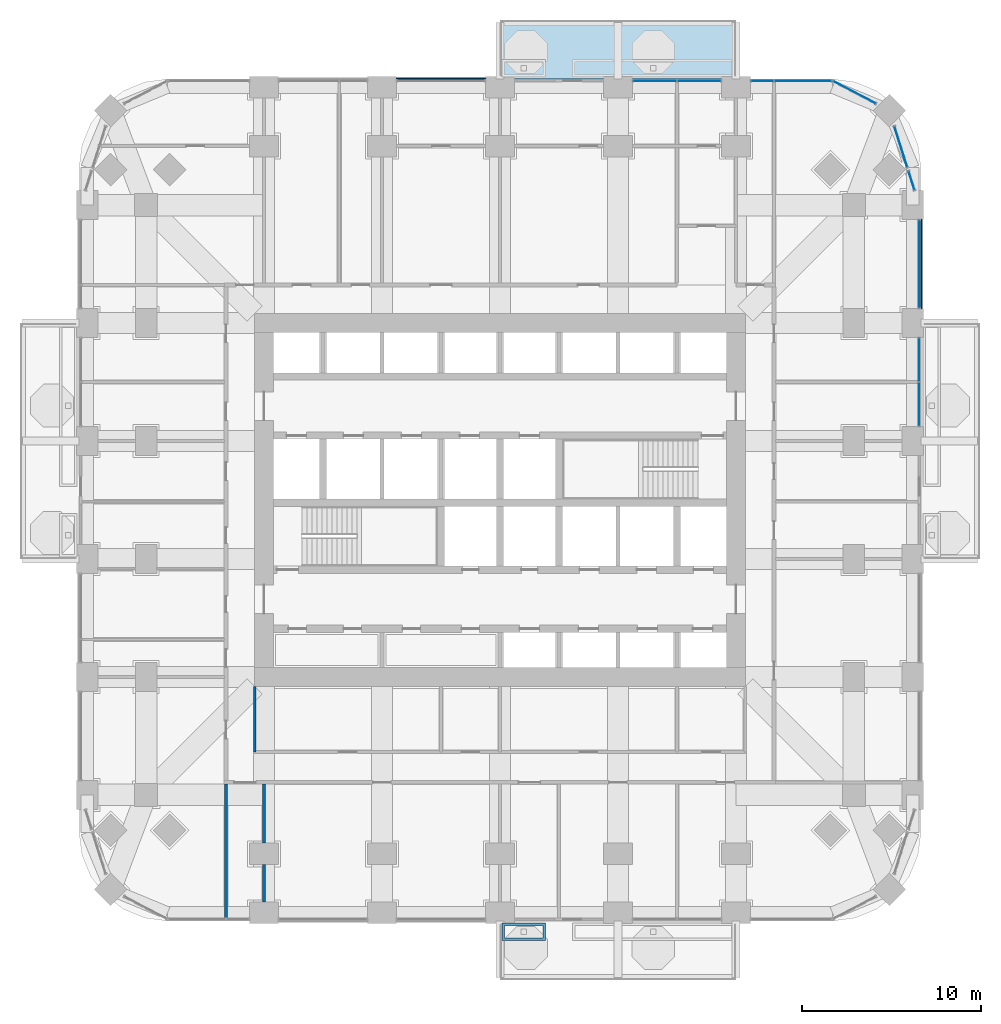
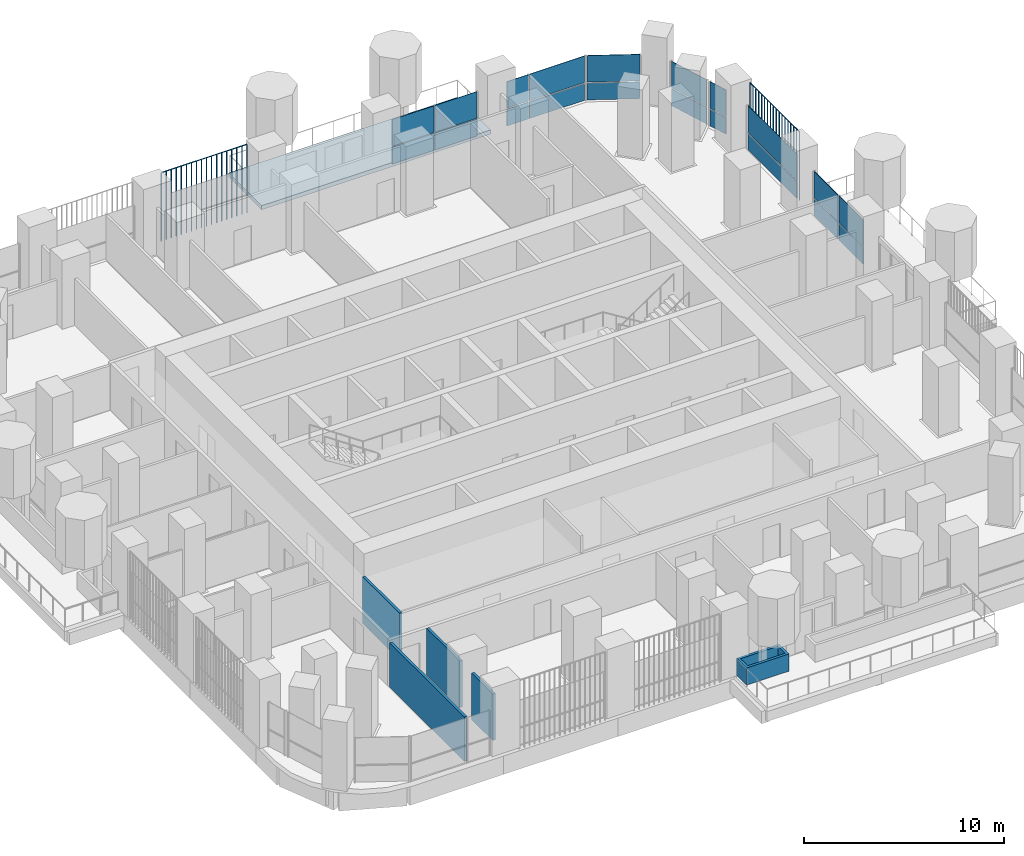
# One storey, part 13 of 23: 22 plates, 5 walls, 1 slab, 7 elements without a shape of their own.
"""IFC4 building model written with IfcOpenShell, lengths in metres."""

from ifc_helpers import new_model, si_unit, direction, frame, frame_2d, origin, origin_2d, place, context, subcontext, project, spatial, polyline, rectangle, outline, extrude, material, layer, layer_set, type_object, element, aggregate, save


model = new_model("IFC4")

# Units and contexts
model_context = context("Model", 3, precision=1e-05, world=origin(), true_north=direction((0.0, 1.0)))
body_context = subcontext(model_context, "Body", "Model", "MODEL_VIEW")
ifc_project = project(units=[si_unit("LENGTHUNIT", "METRE"), si_unit("AREAUNIT", "SQUARE_METRE"), si_unit("VOLUMEUNIT", "CUBIC_METRE"), si_unit("PLANEANGLEUNIT", "RADIAN"), si_unit("MASSUNIT", "GRAM", prefix="KILO")], contexts=[model_context])

# Site, building, storey
site_placement = place(None, origin())
site = spatial("IfcSite", under=ifc_project, at=site_placement, CompositionType="ELEMENT")
building_placement = place(site_placement, origin())
building = spatial("IfcBuilding", under=site, at=building_placement, Name="Cobogo Forest Laboratory Tower", CompositionType="ELEMENT")
storey_placement = place(building_placement, frame((0.0, 0.0, 103.199951171875)))
storey = spatial("IfcBuildingStorey", under=building, at=storey_placement, Name="L23", CompositionType="ELEMENT", Elevation=103.199951171875)

# Slab
ifc_material_1 = material(Name="Concrete HA-40 (C40/50)", Category="concrete")
ifc_layer_1 = layer(ifc_material_1, 0.25)
ifc_layer_set_1 = layer_set([ifc_layer_1], Name="Balcony slab 250")
slab_type = type_object("IfcSlabType", Name="Balcony slab 250", PredefinedType="FLOOR", material=ifc_layer_set_1)
slab_placement = place(storey_placement, frame((0.0, 0.0, -0.25)))
element("IfcSlab", 1, at=slab_placement, inside=storey, type_object=slab_type, Name="Balcony BAL-N1 L23", PredefinedType="FLOOR", context=body_context, shape_type="SweptSolid", body=[
    extrude(outline(polyline([(26.39990234375, 46.64990234375), (39.60009765625, 46.64990234375), (39.60009765625, 49.949951171875), (26.39990234375, 49.949951171875), (26.39990234375, 46.64990234375)])), origin(), (0.0, 0.0, 1.0), 0.25),
])

# Curtain wall, plates
ifc_material_2 = material(Name="Aluminium curtain wall", Category="aluminium")
curtain_wall_type = type_object("IfcCurtainWallType", Name="CW-1 unitised curtain wall, clear glazing, laboratory floors zones A and B", PredefinedType="USERDEFINED", material=ifc_material_2)
curtain_wall_1_placement = place(storey_placement, origin())
curtain_wall_1 = element("IfcCurtainWall", 2, at=curtain_wall_1_placement, inside=storey, type_object=curtain_wall_type, Name="Curtain wall 13 L23", ObjectType="UNITISED CURTAIN WALL", PredefinedType="USERDEFINED")
ifc_material_3 = material(Name="Clear insulated glass", Category="glass")
ifc_layer_2 = layer(ifc_material_3, 0.028076171875)
ifc_layer_set_2 = layer_set([ifc_layer_2], Name="GP-1 clear insulated glass unit 28")
plate_type_1 = type_object("IfcPlateType", Name="GP-1 clear insulated glass unit 28", PredefinedType="CURTAIN_PANEL", material=ifc_layer_set_2)
plate_1_placement = place(storey_placement, frame((49.85009765625, 28.465087890625, 0.0), z_axis=(0.0, 0.0, 1.0), x_axis=(0.0, 1.0, 0.0)))
plate_1 = element("IfcPlate", 3, at=plate_1_placement, type_object=plate_type_1, Name="CW-1 panel 1.1", PredefinedType="CURTAIN_PANEL", context=body_context, shape_type="SweptSolid", body=[
    extrude(rectangle(XDim=2.409912109375, YDim=0.028076171875, at=origin_2d()), origin(), (0.0, 0.0, 1.0), 1.02001953125),
])
plate_2_placement = place(storey_placement, frame((49.85009765625, 28.465087890625, 1.080078125), z_axis=(0.0, 0.0, 1.0), x_axis=(0.0, 1.0, 0.0)))
plate_2 = element("IfcPlate", 4, at=plate_2_placement, type_object=plate_type_1, Name="CW-1 panel 1.2", PredefinedType="CURTAIN_PANEL", context=body_context, shape_type="SweptSolid", body=[
    extrude(rectangle(XDim=2.409912109375, YDim=0.028076171875, at=origin_2d()), origin(), (0.0, 0.0, 1.0), 1.6201171875),
])
plate_3_placement = place(storey_placement, frame((49.85009765625, 30.93505859375, 0.0), z_axis=(0.0, 0.0, 1.0), x_axis=(0.0, 1.0, 0.0)))
plate_3 = element("IfcPlate", 5, at=plate_3_placement, type_object=plate_type_1, Name="CW-1 panel 2.1", PredefinedType="CURTAIN_PANEL", context=body_context, shape_type="SweptSolid", body=[
    extrude(rectangle(XDim=2.409912109375, YDim=0.028076171875, at=origin_2d()), origin(), (0.0, 0.0, 1.0), 1.02001953125),
])
plate_4_placement = place(storey_placement, frame((49.85009765625, 30.93505859375, 1.080078125), z_axis=(0.0, 0.0, 1.0), x_axis=(0.0, 1.0, 0.0)))
plate_4 = element("IfcPlate", 6, at=plate_4_placement, type_object=plate_type_1, Name="CW-1 panel 2.2", PredefinedType="CURTAIN_PANEL", context=body_context, shape_type="SweptSolid", body=[
    extrude(rectangle(XDim=2.409912109375, YDim=0.028076171875, at=origin_2d()), origin(), (0.0, 0.0, 1.0), 1.6201171875),
])
aggregate(curtain_wall_1, [plate_1, plate_2, plate_3, plate_4])

curtain_wall_2_placement = place(storey_placement, origin())
curtain_wall_2 = element("IfcCurtainWall", 7, at=curtain_wall_2_placement, inside=storey, type_object=curtain_wall_type, Name="Curtain wall 14 L23", ObjectType="UNITISED CURTAIN WALL", PredefinedType="USERDEFINED")
plate_5_placement = place(storey_placement, frame((49.85009765625, 36.300048828125, 0.0), z_axis=(0.0, 0.0, 1.0), x_axis=(0.0, 1.0, 0.0)))
plate_5 = element("IfcPlate", 8, at=plate_5_placement, type_object=plate_type_1, Name="CW-1 panel 1.1", PredefinedType="CURTAIN_PANEL", context=body_context, shape_type="SweptSolid", body=[
    extrude(rectangle(XDim=4.8798828125, YDim=0.028076171875, at=origin_2d()), origin(), (0.0, 0.0, 1.0), 1.02001953125),
])
plate_6_placement = place(storey_placement, frame((49.85009765625, 36.300048828125, 1.080078125), z_axis=(0.0, 0.0, 1.0), x_axis=(0.0, 1.0, 0.0)))
plate_6 = element("IfcPlate", 9, at=plate_6_placement, type_object=plate_type_1, Name="CW-1 panel 1.2", PredefinedType="CURTAIN_PANEL", context=body_context, shape_type="SweptSolid", body=[
    extrude(rectangle(XDim=4.8798828125, YDim=0.028076171875, at=origin_2d()), origin(), (0.0, 0.0, 1.0), 1.6201171875),
])
aggregate(curtain_wall_2, [plate_5, plate_6])

curtain_wall_3_placement = place(storey_placement, origin())
curtain_wall_3 = element("IfcCurtainWall", 10, at=curtain_wall_3_placement, inside=storey, type_object=curtain_wall_type, Name="Curtain wall 15 L23", ObjectType="UNITISED CURTAIN WALL", PredefinedType="USERDEFINED")
plate_7_placement = place(storey_placement, frame((49.41796875, 40.9677734375, 0.0), z_axis=(0.0, 0.0, 1.0), x_axis=(-0.301135667865, 0.953581307252, 0.0)))
plate_7 = element("IfcPlate", 11, at=plate_7_placement, type_object=plate_type_1, Name="CW-1 panel 1.1", PredefinedType="CURTAIN_PANEL", context=body_context, shape_type="SweptSolid", body=[
    extrude(rectangle(XDim=1.071044921875, YDim=0.028076171875, at=origin_2d()), origin(), (0.0, 0.0, 1.0), 1.02001953125),
])
plate_8_placement = place(storey_placement, frame((49.41796875, 40.9677734375, 1.080078125), z_axis=(0.0, 0.0, 1.0), x_axis=(-0.301135667865, 0.953581307252, 0.0)))
plate_8 = element("IfcPlate", 12, at=plate_8_placement, type_object=plate_type_1, Name="CW-1 panel 1.2", PredefinedType="CURTAIN_PANEL", context=body_context, shape_type="SweptSolid", body=[
    extrude(rectangle(XDim=1.071044921875, YDim=0.028076171875, at=origin_2d()), origin(), (0.0, 0.0, 1.0), 1.6201171875),
])
aggregate(curtain_wall_3, [plate_7, plate_8])

curtain_wall_4_placement = place(storey_placement, origin())
curtain_wall_4 = element("IfcCurtainWall", 13, at=curtain_wall_4_placement, inside=storey, type_object=curtain_wall_type, Name="Curtain wall 16 L23", ObjectType="UNITISED CURTAIN WALL", PredefinedType="USERDEFINED")
plate_9_placement = place(storey_placement, frame((48.8212890625, 42.857421875, 0.0), z_axis=(0.0, 0.0, 1.0), x_axis=(-0.301135291996, 0.953581425949, 0.0)))
plate_9 = element("IfcPlate", 14, at=plate_9_placement, type_object=plate_type_1, Name="CW-1 panel 1.1", PredefinedType="CURTAIN_PANEL", context=body_context, shape_type="SweptSolid", body=[
    extrude(rectangle(XDim=2.3681640625, YDim=0.028076171875, at=origin_2d()), origin(), (0.0, 0.0, 1.0), 1.02001953125),
])
plate_10_placement = place(storey_placement, frame((48.8212890625, 42.857421875, 1.080078125), z_axis=(0.0, 0.0, 1.0), x_axis=(-0.301135291996, 0.953581425949, 0.0)))
plate_10 = element("IfcPlate", 15, at=plate_10_placement, type_object=plate_type_1, Name="CW-1 panel 1.2", PredefinedType="CURTAIN_PANEL", context=body_context, shape_type="SweptSolid", body=[
    extrude(rectangle(XDim=2.3681640625, YDim=0.028076171875, at=origin_2d()), origin(), (0.0, 0.0, 1.0), 1.6201171875),
])
aggregate(curtain_wall_4, [plate_9, plate_10])

curtain_wall_5_placement = place(storey_placement, origin())
curtain_wall_5 = element("IfcCurtainWall", 16, at=curtain_wall_5_placement, inside=storey, type_object=curtain_wall_type, Name="Curtain wall 17 L23", ObjectType="UNITISED CURTAIN WALL", PredefinedType="USERDEFINED")
plate_11_placement = place(storey_placement, frame((46.229248046875, 45.90576171875, 0.0), z_axis=(0.0, 0.0, 1.0), x_axis=(-0.885686547075, 0.464283685186, 0.0)))
plate_11 = element("IfcPlate", 17, at=plate_11_placement, type_object=plate_type_1, Name="CW-1 panel 1.1", PredefinedType="CURTAIN_PANEL", context=body_context, shape_type="SweptSolid", body=[
    extrude(rectangle(XDim=2.655517578125, YDim=0.028076171875, at=origin_2d()), origin(), (0.0, 0.0, 1.0), 1.02001953125),
])
plate_12_placement = place(storey_placement, frame((46.229248046875, 45.90576171875, 1.080078125), z_axis=(0.0, 0.0, 1.0), x_axis=(-0.885686547075, 0.464283685186, 0.0)))
plate_12 = element("IfcPlate", 18, at=plate_12_placement, type_object=plate_type_1, Name="CW-1 panel 1.2", PredefinedType="CURTAIN_PANEL", context=body_context, shape_type="SweptSolid", body=[
    extrude(rectangle(XDim=2.655517578125, YDim=0.028076171875, at=origin_2d()), origin(), (0.0, 0.0, 1.0), 1.6201171875),
])
aggregate(curtain_wall_5, [plate_11, plate_12])

curtain_wall_6_placement = place(storey_placement, origin())
curtain_wall_6 = element("IfcCurtainWall", 19, at=curtain_wall_6_placement, inside=storey, type_object=curtain_wall_type, Name="Curtain wall 18 L23", ObjectType="UNITISED CURTAIN WALL", PredefinedType="USERDEFINED")
plate_13_placement = place(storey_placement, frame((43.347412109375, 46.550048828125, 0.0), z_axis=(0.0, 0.0, 1.0), x_axis=(-1.0, 0.0, 0.0)))
plate_13 = element("IfcPlate", 20, at=plate_13_placement, type_object=plate_type_1, Name="CW-1 panel 1.1", PredefinedType="CURTAIN_PANEL", context=body_context, shape_type="SweptSolid", body=[
    extrude(rectangle(XDim=3.18505859375, YDim=0.028076171875, at=origin_2d()), origin(), (0.0, 0.0, 1.0), 1.02001953125),
])
plate_14_placement = place(storey_placement, frame((43.347412109375, 46.550048828125, 1.080078125), z_axis=(0.0, 0.0, 1.0), x_axis=(-1.0, 0.0, 0.0)))
plate_14 = element("IfcPlate", 21, at=plate_14_placement, type_object=plate_type_1, Name="CW-1 panel 1.2", PredefinedType="CURTAIN_PANEL", context=body_context, shape_type="SweptSolid", body=[
    extrude(rectangle(XDim=3.18505859375, YDim=0.028076171875, at=origin_2d()), origin(), (0.0, 0.0, 1.0), 1.6201171875),
])
plate_15_placement = place(storey_placement, frame((41.077392578125, 46.550048828125, 0.0), z_axis=(0.0, 0.0, 1.0), x_axis=(-1.0, 0.0, 0.0)))
plate_15 = element("IfcPlate", 22, at=plate_15_placement, type_object=plate_type_1, Name="CW-1 panel 2.1", PredefinedType="CURTAIN_PANEL", context=body_context, shape_type="SweptSolid", body=[
    extrude(rectangle(XDim=1.235107421875, YDim=0.028076171875, at=origin_2d()), origin(), (0.0, 0.0, 1.0), 1.02001953125),
])
plate_16_placement = place(storey_placement, frame((41.077392578125, 46.550048828125, 1.080078125), z_axis=(0.0, 0.0, 1.0), x_axis=(-1.0, 0.0, 0.0)))
plate_16 = element("IfcPlate", 23, at=plate_16_placement, type_object=plate_type_1, Name="CW-1 panel 2.2", PredefinedType="CURTAIN_PANEL", context=body_context, shape_type="SweptSolid", body=[
    extrude(rectangle(XDim=1.235107421875, YDim=0.028076171875, at=origin_2d()), origin(), (0.0, 0.0, 1.0), 1.6201171875),
])
aggregate(curtain_wall_6, [plate_13, plate_14, plate_15, plate_16])

curtain_wall_7_placement = place(storey_placement, origin())
curtain_wall_7 = element("IfcCurtainWall", 24, at=curtain_wall_7_placement, inside=storey, type_object=curtain_wall_type, Name="Curtain wall 19 L23", ObjectType="UNITISED CURTAIN WALL", PredefinedType="USERDEFINED")
plate_17_placement = place(storey_placement, frame((37.534912109375, 46.550048828125, 0.0), z_axis=(0.0, 0.0, 1.0), x_axis=(-1.0, 0.0, 0.0)))
plate_17 = element("IfcPlate", 25, at=plate_17_placement, type_object=plate_type_1, Name="CW-1 panel 1.1", PredefinedType="CURTAIN_PANEL", context=body_context, shape_type="SweptSolid", body=[
    extrude(rectangle(XDim=2.409912109375, YDim=0.028076171875, at=origin_2d()), origin(), (0.0, 0.0, 1.0), 1.02001953125),
])
plate_18_placement = place(storey_placement, frame((37.534912109375, 46.550048828125, 1.080078125), z_axis=(0.0, 0.0, 1.0), x_axis=(-1.0, 0.0, 0.0)))
plate_18 = element("IfcPlate", 26, at=plate_18_placement, type_object=plate_type_1, Name="CW-1 panel 1.2", PredefinedType="CURTAIN_PANEL", context=body_context, shape_type="SweptSolid", body=[
    extrude(rectangle(XDim=2.409912109375, YDim=0.028076171875, at=origin_2d()), origin(), (0.0, 0.0, 1.0), 1.6201171875),
])
plate_19_placement = place(storey_placement, frame((35.06494140625, 46.550048828125, 0.0), z_axis=(0.0, 0.0, 1.0), x_axis=(-1.0, 0.0, 0.0)))
plate_19 = element("IfcPlate", 27, at=plate_19_placement, type_object=plate_type_1, Name="CW-1 panel 2.1", PredefinedType="CURTAIN_PANEL", context=body_context, shape_type="SweptSolid", body=[
    extrude(rectangle(XDim=2.409912109375, YDim=0.028076171875, at=origin_2d()), origin(), (0.0, 0.0, 1.0), 1.02001953125),
])
plate_20_placement = place(storey_placement, frame((35.06494140625, 46.550048828125, 1.080078125), z_axis=(0.0, 0.0, 1.0), x_axis=(-1.0, 0.0, 0.0)))
plate_20 = element("IfcPlate", 28, at=plate_20_placement, type_object=plate_type_1, Name="CW-1 panel 2.2", PredefinedType="CURTAIN_PANEL", context=body_context, shape_type="SweptSolid", body=[
    extrude(rectangle(XDim=2.409912109375, YDim=0.028076171875, at=origin_2d()), origin(), (0.0, 0.0, 1.0), 1.6201171875),
])
aggregate(curtain_wall_7, [plate_17, plate_18, plate_19, plate_20])

# Plates
ifc_material_4 = material(Name="Terracotta", Category="masonry")
plate_type_2 = type_object("IfcPlateType", Name="TB1 terracotta baguette screen", PredefinedType="USERDEFINED", material=ifc_material_4)
plate_21_placement = place(storey_placement, frame((49.977783203125, 33.831298828125, -0.14990234375)))
element("IfcPlate", 29, at=plate_21_placement, inside=storey, type_object=plate_type_2, Name="Baguette screen E5 L23", ObjectType="BAGUETTE SCREEN", PredefinedType="USERDEFINED", context=body_context, shape_type="SweptSolid", body=[
    extrude(outline(polyline([(0.02880859375, 0.011962890625), (0.011962890625, 0.02880859375), (-0.011962890625, 0.02880859375), (-0.02880859375, 0.011962890625), (-0.02880859375, -0.011962890625), (-0.011962890625, -0.02880859375), (0.011962890625, -0.02880859375), (0.02880859375, -0.011962890625), (0.02880859375, 0.011962890625)])), frame((0.0, 0.0, 4.168701171875), z_axis=(0.0, 1.0, 0.0), x_axis=(-1.0, 0.0, 0.0)), (0.0, 0.0, 1.0), 4.9375),
    extrude(outline(polyline([(0.02880859375, 0.011962890625), (0.011962890625, 0.02880859375), (-0.011962890625, 0.02880859375), (-0.02880859375, 0.011962890625), (-0.02880859375, -0.011962890625), (-0.011962890625, -0.02880859375), (0.011962890625, -0.02880859375), (0.02880859375, -0.011962890625), (0.02880859375, 0.011962890625)])), origin(), (0.0, 0.0, 1.0), 4.137451171875),
    extrude(outline(polyline([(0.02880859375, 0.011962890625), (0.011962890625, 0.02880859375), (-0.011962890625, 0.02880859375), (-0.02880859375, 0.011962890625), (-0.02880859375, -0.011962890625), (-0.011962890625, -0.02880859375), (0.011962890625, -0.02880859375), (0.02880859375, -0.011962890625), (0.02880859375, 0.011962890625)])), frame((0.0, 0.29052734375, 0.0)), (0.0, 0.0, 1.0), 4.137451171875),
    extrude(outline(polyline([(0.02880859375, 0.011962890625), (0.011962890625, 0.02880859375), (-0.011962890625, 0.02880859375), (-0.02880859375, 0.011962890625), (-0.02880859375, -0.011962890625), (-0.011962890625, -0.02880859375), (0.011962890625, -0.02880859375), (0.02880859375, -0.011962890625), (0.02880859375, 0.011962890625)])), frame((0.0, 0.580810546875, 0.0)), (0.0, 0.0, 1.0), 4.137451171875),
    extrude(outline(polyline([(0.02880859375, 0.011962890625), (0.011962890625, 0.02880859375), (-0.011962890625, 0.02880859375), (-0.02880859375, 0.011962890625), (-0.02880859375, -0.011962890625), (-0.011962890625, -0.02880859375), (0.011962890625, -0.02880859375), (0.02880859375, -0.011962890625), (0.02880859375, 0.011962890625)])), frame((0.0, 0.871337890625, 0.0)), (0.0, 0.0, 1.0), 4.137451171875),
    extrude(outline(polyline([(0.02880859375, 0.011962890625), (0.011962890625, 0.02880859375), (-0.011962890625, 0.02880859375), (-0.02880859375, 0.011962890625), (-0.02880859375, -0.011962890625), (-0.011962890625, -0.02880859375), (0.011962890625, -0.02880859375), (0.02880859375, -0.011962890625), (0.02880859375, 0.011962890625)])), frame((0.0, 1.161865234375, 0.0)), (0.0, 0.0, 1.0), 4.137451171875),
    extrude(outline(polyline([(0.02880859375, 0.011962890625), (0.011962890625, 0.02880859375), (-0.011962890625, 0.02880859375), (-0.02880859375, 0.011962890625), (-0.02880859375, -0.011962890625), (-0.011962890625, -0.02880859375), (0.011962890625, -0.02880859375), (0.02880859375, -0.011962890625), (0.02880859375, 0.011962890625)])), frame((0.0, 1.4521484375, 0.0)), (0.0, 0.0, 1.0), 4.137451171875),
    extrude(outline(polyline([(0.02880859375, 0.011962890625), (0.011962890625, 0.02880859375), (-0.011962890625, 0.02880859375), (-0.02880859375, 0.011962890625), (-0.02880859375, -0.011962890625), (-0.011962890625, -0.02880859375), (0.011962890625, -0.02880859375), (0.02880859375, -0.011962890625), (0.02880859375, 0.011962890625)])), frame((0.0, 1.74267578125, 0.0)), (0.0, 0.0, 1.0), 4.137451171875),
    extrude(outline(polyline([(0.02880859375, 0.011962890625), (0.011962890625, 0.02880859375), (-0.011962890625, 0.02880859375), (-0.02880859375, 0.011962890625), (-0.02880859375, -0.011962890625), (-0.011962890625, -0.02880859375), (0.011962890625, -0.02880859375), (0.02880859375, -0.011962890625), (0.02880859375, 0.011962890625)])), frame((0.0, 2.033203125, 0.0)), (0.0, 0.0, 1.0), 4.137451171875),
    extrude(outline(polyline([(0.02880859375, 0.011962890625), (0.011962890625, 0.02880859375), (-0.011962890625, 0.02880859375), (-0.02880859375, 0.011962890625), (-0.02880859375, -0.011962890625), (-0.011962890625, -0.02880859375), (0.011962890625, -0.02880859375), (0.02880859375, -0.011962890625), (0.02880859375, 0.011962890625)])), frame((0.0, 2.323486328125, 0.0)), (0.0, 0.0, 1.0), 4.137451171875),
    extrude(outline(polyline([(0.02880859375, 0.011962890625), (0.011962890625, 0.02880859375), (-0.011962890625, 0.02880859375), (-0.02880859375, 0.011962890625), (-0.02880859375, -0.011962890625), (-0.011962890625, -0.02880859375), (0.011962890625, -0.02880859375), (0.02880859375, -0.011962890625), (0.02880859375, 0.011962890625)])), frame((0.0, 2.614013671875, 0.0)), (0.0, 0.0, 1.0), 4.137451171875),
    extrude(outline(polyline([(0.02880859375, 0.011962890625), (0.011962890625, 0.02880859375), (-0.011962890625, 0.02880859375), (-0.02880859375, 0.011962890625), (-0.02880859375, -0.011962890625), (-0.011962890625, -0.02880859375), (0.011962890625, -0.02880859375), (0.02880859375, -0.011962890625), (0.02880859375, 0.011962890625)])), frame((0.0, 2.904296875, 0.0)), (0.0, 0.0, 1.0), 4.137451171875),
    extrude(outline(polyline([(0.02880859375, 0.011962890625), (0.011962890625, 0.02880859375), (-0.011962890625, 0.02880859375), (-0.02880859375, 0.011962890625), (-0.02880859375, -0.011962890625), (-0.011962890625, -0.02880859375), (0.011962890625, -0.02880859375), (0.02880859375, -0.011962890625), (0.02880859375, 0.011962890625)])), frame((0.0, 3.19482421875, 0.0)), (0.0, 0.0, 1.0), 4.137451171875),
    extrude(outline(polyline([(0.02880859375, 0.011962890625), (0.011962890625, 0.02880859375), (-0.011962890625, 0.02880859375), (-0.02880859375, 0.011962890625), (-0.02880859375, -0.011962890625), (-0.011962890625, -0.02880859375), (0.011962890625, -0.02880859375), (0.02880859375, -0.011962890625), (0.02880859375, 0.011962890625)])), frame((0.0, 3.4853515625, 0.0)), (0.0, 0.0, 1.0), 4.137451171875),
    extrude(outline(polyline([(0.02880859375, 0.011962890625), (0.011962890625, 0.02880859375), (-0.011962890625, 0.02880859375), (-0.02880859375, 0.011962890625), (-0.02880859375, -0.011962890625), (-0.011962890625, -0.02880859375), (0.011962890625, -0.02880859375), (0.02880859375, -0.011962890625), (0.02880859375, 0.011962890625)])), frame((0.0, 3.775634765625, 0.0)), (0.0, 0.0, 1.0), 4.137451171875),
    extrude(outline(polyline([(0.02880859375, 0.011962890625), (0.011962890625, 0.02880859375), (-0.011962890625, 0.02880859375), (-0.02880859375, 0.011962890625), (-0.02880859375, -0.011962890625), (-0.011962890625, -0.02880859375), (0.011962890625, -0.02880859375), (0.02880859375, -0.011962890625), (0.02880859375, 0.011962890625)])), frame((0.0, 4.066162109375, 0.0)), (0.0, 0.0, 1.0), 4.137451171875),
    extrude(outline(polyline([(0.02880859375, 0.011962890625), (0.011962890625, 0.02880859375), (-0.011962890625, 0.02880859375), (-0.02880859375, 0.011962890625), (-0.02880859375, -0.011962890625), (-0.011962890625, -0.02880859375), (0.011962890625, -0.02880859375), (0.02880859375, -0.011962890625), (0.02880859375, 0.011962890625)])), frame((0.0, 4.356689453125, 0.0)), (0.0, 0.0, 1.0), 4.137451171875),
    extrude(outline(polyline([(0.02880859375, 0.011962890625), (0.011962890625, 0.02880859375), (-0.011962890625, 0.02880859375), (-0.02880859375, 0.011962890625), (-0.02880859375, -0.011962890625), (-0.011962890625, -0.02880859375), (0.011962890625, -0.02880859375), (0.02880859375, -0.011962890625), (0.02880859375, 0.011962890625)])), frame((0.0, 4.64697265625, 0.0)), (0.0, 0.0, 1.0), 4.137451171875),
    extrude(outline(polyline([(0.02880859375, 0.011962890625), (0.011962890625, 0.02880859375), (-0.011962890625, 0.02880859375), (-0.02880859375, 0.011962890625), (-0.02880859375, -0.011962890625), (-0.011962890625, -0.02880859375), (0.011962890625, -0.02880859375), (0.02880859375, -0.011962890625), (0.02880859375, 0.011962890625)])), frame((0.0, 4.9375, 0.0)), (0.0, 0.0, 1.0), 4.137451171875),
])
plate_22_placement = place(storey_placement, frame((20.63134765625, 46.677978515625, -0.14990234375)))
element("IfcPlate", 30, at=plate_22_placement, inside=storey, type_object=plate_type_2, Name="Baguette screen N2 L23", ObjectType="BAGUETTE SCREEN", PredefinedType="USERDEFINED", context=body_context, shape_type="SweptSolid", body=[
    extrude(outline(polyline([(0.02880859375, 0.011962890625), (0.011962890625, 0.02880859375), (-0.011962890625, 0.02880859375), (-0.02880859375, 0.011962890625), (-0.02880859375, -0.011962890625), (-0.011962890625, -0.02880859375), (0.011962890625, -0.02880859375), (0.02880859375, -0.011962890625), (0.02880859375, 0.011962890625)])), frame((0.0, 0.0, 4.168701171875), z_axis=(1.0, 0.0, 0.0), x_axis=(0.0, 1.0, 0.0)), (0.0, 0.0, 1.0), 4.9375),
    extrude(outline(polyline([(0.02880859375, 0.011962890625), (0.011962890625, 0.02880859375), (-0.011962890625, 0.02880859375), (-0.02880859375, 0.011962890625), (-0.02880859375, -0.011962890625), (-0.011962890625, -0.02880859375), (0.011962890625, -0.02880859375), (0.02880859375, -0.011962890625), (0.02880859375, 0.011962890625)])), origin(), (0.0, 0.0, 1.0), 4.137451171875),
    extrude(outline(polyline([(0.02880859375, 0.011962890625), (0.011962890625, 0.02880859375), (-0.011962890625, 0.02880859375), (-0.02880859375, 0.011962890625), (-0.02880859375, -0.011962890625), (-0.011962890625, -0.02880859375), (0.011962890625, -0.02880859375), (0.02880859375, -0.011962890625), (0.02880859375, 0.011962890625)])), frame((0.29052734375, 0.0, 0.0)), (0.0, 0.0, 1.0), 4.137451171875),
    extrude(outline(polyline([(0.02880859375, 0.011962890625), (0.011962890625, 0.02880859375), (-0.011962890625, 0.02880859375), (-0.02880859375, 0.011962890625), (-0.02880859375, -0.011962890625), (-0.011962890625, -0.02880859375), (0.011962890625, -0.02880859375), (0.02880859375, -0.011962890625), (0.02880859375, 0.011962890625)])), frame((0.580810546875, 0.0, 0.0)), (0.0, 0.0, 1.0), 4.137451171875),
    extrude(outline(polyline([(0.02880859375, 0.011962890625), (0.011962890625, 0.02880859375), (-0.011962890625, 0.02880859375), (-0.02880859375, 0.011962890625), (-0.02880859375, -0.011962890625), (-0.011962890625, -0.02880859375), (0.011962890625, -0.02880859375), (0.02880859375, -0.011962890625), (0.02880859375, 0.011962890625)])), frame((0.871337890625, 0.0, 0.0)), (0.0, 0.0, 1.0), 4.137451171875),
    extrude(outline(polyline([(0.02880859375, 0.011962890625), (0.011962890625, 0.02880859375), (-0.011962890625, 0.02880859375), (-0.02880859375, 0.011962890625), (-0.02880859375, -0.011962890625), (-0.011962890625, -0.02880859375), (0.011962890625, -0.02880859375), (0.02880859375, -0.011962890625), (0.02880859375, 0.011962890625)])), frame((1.161865234375, 0.0, 0.0)), (0.0, 0.0, 1.0), 4.137451171875),
    extrude(outline(polyline([(0.02880859375, 0.011962890625), (0.011962890625, 0.02880859375), (-0.011962890625, 0.02880859375), (-0.02880859375, 0.011962890625), (-0.02880859375, -0.011962890625), (-0.011962890625, -0.02880859375), (0.011962890625, -0.02880859375), (0.02880859375, -0.011962890625), (0.02880859375, 0.011962890625)])), frame((1.4521484375, 0.0, 0.0)), (0.0, 0.0, 1.0), 4.137451171875),
    extrude(outline(polyline([(0.02880859375, 0.011962890625), (0.011962890625, 0.02880859375), (-0.011962890625, 0.02880859375), (-0.02880859375, 0.011962890625), (-0.02880859375, -0.011962890625), (-0.011962890625, -0.02880859375), (0.011962890625, -0.02880859375), (0.02880859375, -0.011962890625), (0.02880859375, 0.011962890625)])), frame((1.74267578125, 0.0, 0.0)), (0.0, 0.0, 1.0), 4.137451171875),
    extrude(outline(polyline([(0.02880859375, 0.011962890625), (0.011962890625, 0.02880859375), (-0.011962890625, 0.02880859375), (-0.02880859375, 0.011962890625), (-0.02880859375, -0.011962890625), (-0.011962890625, -0.02880859375), (0.011962890625, -0.02880859375), (0.02880859375, -0.011962890625), (0.02880859375, 0.011962890625)])), frame((2.033203125, 0.0, 0.0)), (0.0, 0.0, 1.0), 4.137451171875),
    extrude(outline(polyline([(0.02880859375, 0.011962890625), (0.011962890625, 0.02880859375), (-0.011962890625, 0.02880859375), (-0.02880859375, 0.011962890625), (-0.02880859375, -0.011962890625), (-0.011962890625, -0.02880859375), (0.011962890625, -0.02880859375), (0.02880859375, -0.011962890625), (0.02880859375, 0.011962890625)])), frame((2.323486328125, 0.0, 0.0)), (0.0, 0.0, 1.0), 4.137451171875),
    extrude(outline(polyline([(0.02880859375, 0.011962890625), (0.011962890625, 0.02880859375), (-0.011962890625, 0.02880859375), (-0.02880859375, 0.011962890625), (-0.02880859375, -0.011962890625), (-0.011962890625, -0.02880859375), (0.011962890625, -0.02880859375), (0.02880859375, -0.011962890625), (0.02880859375, 0.011962890625)])), frame((2.614013671875, 0.0, 0.0)), (0.0, 0.0, 1.0), 4.137451171875),
    extrude(outline(polyline([(0.02880859375, 0.011962890625), (0.011962890625, 0.02880859375), (-0.011962890625, 0.02880859375), (-0.02880859375, 0.011962890625), (-0.02880859375, -0.011962890625), (-0.011962890625, -0.02880859375), (0.011962890625, -0.02880859375), (0.02880859375, -0.011962890625), (0.02880859375, 0.011962890625)])), frame((2.904296875, 0.0, 0.0)), (0.0, 0.0, 1.0), 4.137451171875),
    extrude(outline(polyline([(0.02880859375, 0.011962890625), (0.011962890625, 0.02880859375), (-0.011962890625, 0.02880859375), (-0.02880859375, 0.011962890625), (-0.02880859375, -0.011962890625), (-0.011962890625, -0.02880859375), (0.011962890625, -0.02880859375), (0.02880859375, -0.011962890625), (0.02880859375, 0.011962890625)])), frame((3.19482421875, 0.0, 0.0)), (0.0, 0.0, 1.0), 4.137451171875),
    extrude(outline(polyline([(0.02880859375, 0.011962890625), (0.011962890625, 0.02880859375), (-0.011962890625, 0.02880859375), (-0.02880859375, 0.011962890625), (-0.02880859375, -0.011962890625), (-0.011962890625, -0.02880859375), (0.011962890625, -0.02880859375), (0.02880859375, -0.011962890625), (0.02880859375, 0.011962890625)])), frame((3.4853515625, 0.0, 0.0)), (0.0, 0.0, 1.0), 4.137451171875),
    extrude(outline(polyline([(0.02880859375, 0.011962890625), (0.011962890625, 0.02880859375), (-0.011962890625, 0.02880859375), (-0.02880859375, 0.011962890625), (-0.02880859375, -0.011962890625), (-0.011962890625, -0.02880859375), (0.011962890625, -0.02880859375), (0.02880859375, -0.011962890625), (0.02880859375, 0.011962890625)])), frame((3.775634765625, 0.0, 0.0)), (0.0, 0.0, 1.0), 4.137451171875),
    extrude(outline(polyline([(0.02880859375, 0.011962890625), (0.011962890625, 0.02880859375), (-0.011962890625, 0.02880859375), (-0.02880859375, 0.011962890625), (-0.02880859375, -0.011962890625), (-0.011962890625, -0.02880859375), (0.011962890625, -0.02880859375), (0.02880859375, -0.011962890625), (0.02880859375, 0.011962890625)])), frame((4.066162109375, 0.0, 0.0)), (0.0, 0.0, 1.0), 4.137451171875),
    extrude(outline(polyline([(0.02880859375, 0.011962890625), (0.011962890625, 0.02880859375), (-0.011962890625, 0.02880859375), (-0.02880859375, 0.011962890625), (-0.02880859375, -0.011962890625), (-0.011962890625, -0.02880859375), (0.011962890625, -0.02880859375), (0.02880859375, -0.011962890625), (0.02880859375, 0.011962890625)])), frame((4.356689453125, 0.0, 0.0)), (0.0, 0.0, 1.0), 4.137451171875),
    extrude(outline(polyline([(0.02880859375, 0.011962890625), (0.011962890625, 0.02880859375), (-0.011962890625, 0.02880859375), (-0.02880859375, 0.011962890625), (-0.02880859375, -0.011962890625), (-0.011962890625, -0.02880859375), (0.011962890625, -0.02880859375), (0.02880859375, -0.011962890625), (0.02880859375, 0.011962890625)])), frame((4.64697265625, 0.0, 0.0)), (0.0, 0.0, 1.0), 4.137451171875),
    extrude(outline(polyline([(0.02880859375, 0.011962890625), (0.011962890625, 0.02880859375), (-0.011962890625, 0.02880859375), (-0.02880859375, 0.011962890625), (-0.02880859375, -0.011962890625), (-0.011962890625, -0.02880859375), (0.011962890625, -0.02880859375), (0.02880859375, -0.011962890625), (0.02880859375, 0.011962890625)])), frame((4.9375, 0.0, 0.0)), (0.0, 0.0, 1.0), 4.137451171875),
])

# Walls
ifc_material_5 = material(Name="Gypsum board on steel studs", Category="steel")
ifc_layer_3 = layer(ifc_material_5, 0.14990234375)
ifc_layer_set_3 = layer_set([ifc_layer_3], Name="PT1 laboratory partition 150")
wall_type_1 = type_object("IfcWallType", Name="PT1 laboratory partition 150", PredefinedType="PARTITIONING", material=ifc_layer_set_3)
wall_1_placement = place(storey_placement, frame((12.675048828125, 12.675048828125, 0.0), z_axis=(0.0, 0.0, 1.0), x_axis=(0.0, -1.0, 0.0)))
element("IfcWall", 31, at=wall_1_placement, inside=storey, type_object=wall_type_1, Name="Partition CSTRIP-SW L23", PredefinedType="PARTITIONING", context=body_context, shape_type="SweptSolid", body=[
    extrude(rectangle(XDim=3.675048828125, YDim=0.14990234375, at=frame_2d((1.83740234375, 0.0))), origin(), (0.0, 0.0, 1.0), 2.85009765625),
])
wall_2_placement = place(storey_placement, frame((11.074951171875, -0.27001953125, 0.0), z_axis=(0.0, 0.0, 1.0), x_axis=(0.0, 1.0, 0.0)))
element("IfcWall", 32, at=wall_2_placement, inside=storey, type_object=wall_type_1, Name="Partition PW-SW L23", PredefinedType="PARTITIONING", context=body_context, shape_type="SweptSolid", body=[
    extrude(rectangle(XDim=7.469970703125, YDim=0.14990234375, at=frame_2d((3.73486328125, 0.0))), origin(), (0.0, 0.0, 1.0), 2.699951171875),
])
wall_3_placement = place(storey_placement, frame((13.199951171875, 0.60009765625, 0.0), z_axis=(0.0, 0.0, 1.0), x_axis=(0.0, 1.0, 0.0)))
element("IfcWall", 33, at=wall_3_placement, inside=storey, type_object=wall_type_1, Name="Partition CUT-S13.2-1 L23", PredefinedType="PARTITIONING", context=body_context, shape_type="SweptSolid", body=[
    extrude(rectangle(XDim=2.099853515625, YDim=0.14990234375, at=frame_2d((1.0498046875, 0.0))), origin(), (0.0, 0.0, 1.0), 2.85009765625),
])
wall_4_placement = place(storey_placement, frame((13.199951171875, 3.89990234375, 0.0), z_axis=(0.0, 0.0, 1.0), x_axis=(0.0, 1.0, 0.0)))
element("IfcWall", 34, at=wall_4_placement, inside=storey, type_object=wall_type_1, Name="Partition CUT-S13.2-2 L23", PredefinedType="PARTITIONING", context=body_context, shape_type="SweptSolid", body=[
    extrude(rectangle(XDim=3.300048828125, YDim=0.14990234375, at=frame_2d((1.64990234375, 0.0))), origin(), (0.0, 0.0, 1.0), 2.85009765625),
])
ifc_layer_4 = layer(ifc_material_1, 0.14990234375)
ifc_layer_set_4 = layer_set([ifc_layer_4], Name="Planter box 1000x1050")
wall_type_2 = type_object("IfcWallType", Name="Planter box 1000x1050", PredefinedType="USERDEFINED", material=ifc_layer_set_4)
wall_5_placement = place(storey_placement, origin())
element("IfcWall", 35, at=wall_5_placement, inside=storey, type_object=wall_type_2, Name="Planter BAL-S1-1 L23", ObjectType="PLANTER", PredefinedType="USERDEFINED", context=body_context, shape_type="SweptSolid", body=[
    extrude(outline(polyline([(26.5, -1.550048828125), (28.949951171875, -1.550048828125), (28.949951171875, -0.550048828125), (26.5, -0.550048828125), (26.5, -1.550048828125)]), holes=[polyline([(26.64990234375, -1.39990234375), (28.800048828125, -1.39990234375), (28.800048828125, -0.699951171875), (26.64990234375, -0.699951171875), (26.64990234375, -1.39990234375)])]), origin(), (0.0, 0.0, 1.0), 1.050048828125),
])

save(model, "model.ifc")
